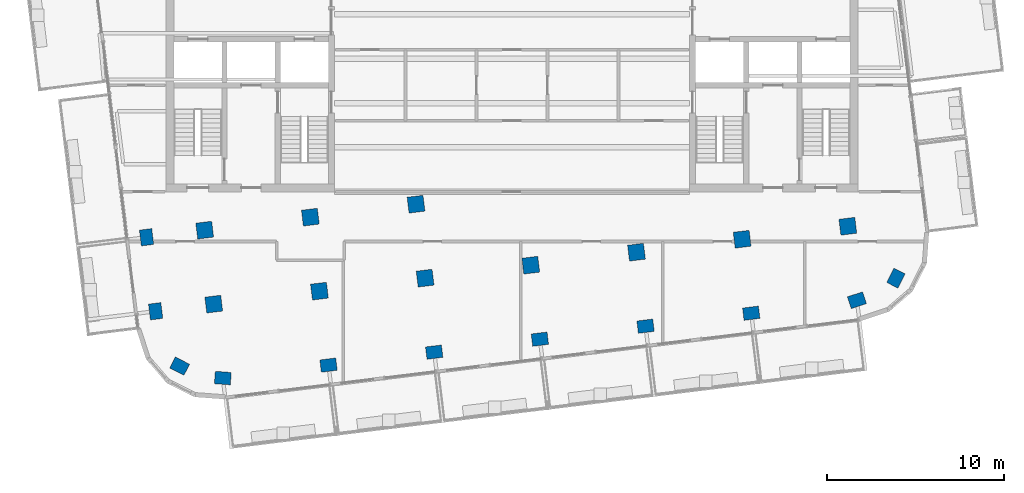
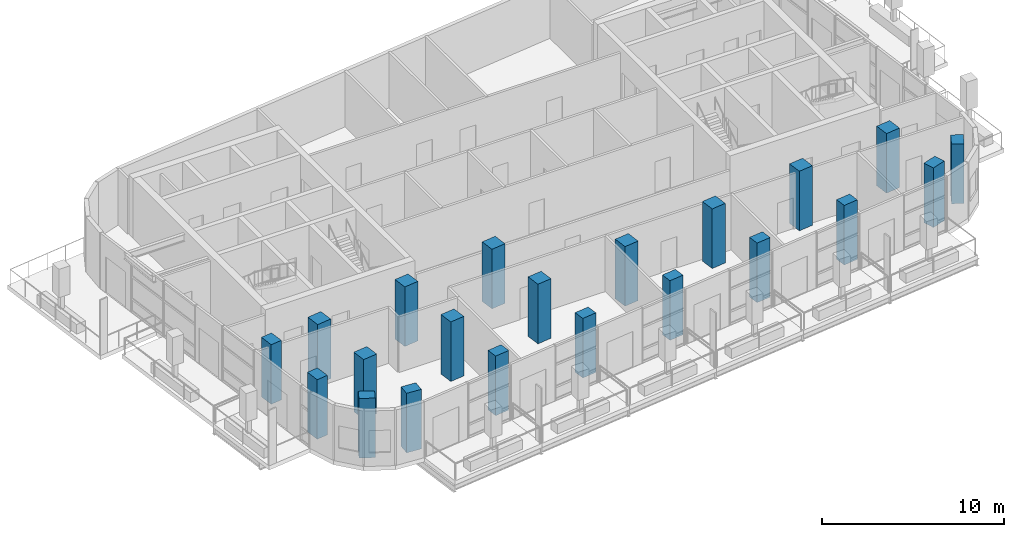
# One storey, part 1 of 14: 21 columns.
"""IFC4 building model written with IfcOpenShell, lengths in metres."""

from ifc_helpers import new_model, si_unit, direction, frame, origin, origin_2d, place, context, subcontext, project, spatial, rectangle, extrude, material, material_profile, profile_set, type_object, element, save


model = new_model("IFC4")

# Units and contexts
model_context = context("Model", 3, precision=1e-05, world=origin(), true_north=direction((0.0, 1.0)))
body_context = subcontext(model_context, "Body", "Model", "MODEL_VIEW")
ifc_project = project(units=[si_unit("LENGTHUNIT", "METRE"), si_unit("AREAUNIT", "SQUARE_METRE"), si_unit("VOLUMEUNIT", "CUBIC_METRE"), si_unit("PLANEANGLEUNIT", "RADIAN"), si_unit("MASSUNIT", "GRAM", prefix="KILO")], contexts=[model_context])

# Site, building, storey
site_placement = place(None, origin())
site = spatial("IfcSite", under=ifc_project, at=site_placement, CompositionType="ELEMENT")
building_placement = place(site_placement, origin())
building = spatial("IfcBuilding", under=site, at=building_placement, Name="Torana Hotel and Residences", CompositionType="ELEMENT")
storey_placement = place(building_placement, frame((0.0, 0.0, 338.60009765625)))
storey = spatial("IfcBuildingStorey", under=building, at=storey_placement, Name="L89", CompositionType="ELEMENT", Elevation=338.60009765625)

# Columns
ifc_material_1 = material(Name="Concrete C45/55", Category="concrete")
ifc_material_profile_1 = material_profile(ifc_material_1, rectangle(XDim=0.89990234375, YDim=0.699951171875, at=origin_2d()), Name="RC 900x700")
ifc_profile_set_1 = profile_set([ifc_material_profile_1], Name="Concrete C45/55")
column_type_1 = type_object("IfcColumnType", Name="COLUMN RC 900x700 C45/55", PredefinedType="COLUMN", material=ifc_profile_set_1)
for number, where, z_axis, x_axis, name in (
    (1, (-20.593017578125, -17.56201171875, 0.0), (0.0, 0.0, 1.0), (-0.121869343405, 0.992546151641, 0.0), "Column L89"),
    (2, (-20.0810546875, -21.73095703125, 0.0), (0.0, 0.0, 1.0), (-0.121869343405, 0.992546151641, 0.0), "Column L89"),
    (3, (-18.72802734375, -24.822998046875, 0.0), (0.0, 0.0, 1.0), (-0.892978943411, 0.450098441037, 0.0), "Column L89"),
    (4, (-16.2939453125, -25.4970703125, 0.0), (0.0, 0.0, 1.0), (-0.997251478385, 0.074091084885, 0.0), "Column L89"),
    (5, (-10.337890625, -24.76611328125, 0.0), (0.0, 0.0, 1.0), (0.992546151641, 0.121869343405, 0.0), "Column L89"),
    (6, (-4.383056640625, -24.034912109375, 0.0), (0.0, 0.0, 1.0), (0.992546151641, 0.121869343405, 0.0), "Column L89"),
    (7, (1.572021484375, -23.303955078125, 0.0), (0.0, 0.0, 1.0), (0.992546151641, 0.121869343405, 0.0), "Column L89"),
    (8, (7.527099609375, -22.572998046875, 0.0), (0.0, 0.0, 1.0), (0.992546151641, 0.121869343405, 0.0), "Column L89"),
    (9, (13.48291015625, -21.841064453125, 0.0), (0.0, 0.0, 1.0), (0.992546151641, 0.121869343405, 0.0), "Column L89"),
    (10, (19.43798828125, -21.110107421875, 0.0), (0.0, 0.0, 1.0), (0.949693660318, 0.313180381813, 0.0), "Column L89"),
    (11, (21.635986328125, -19.865966796875, 0.0), (0.0, 0.0, 1.0), (0.450098441037, 0.892978943411, 0.0), "Column L89"),
):
    element("IfcColumn", number, at=place(storey_placement, frame(where, z_axis=z_axis, x_axis=x_axis)), inside=storey, type_object=column_type_1, Name=name, PredefinedType="COLUMN", context=body_context, shape_type="SweptSolid", body=[
        extrude(rectangle(XDim=0.89990234375, YDim=0.699951171875, at=origin_2d()), origin(), (0.0, 0.0, 1.0), 4.0),
    ])
ifc_material_2 = material(Name="Concrete C45/55", Category="concrete")
ifc_material_profile_2 = material_profile(ifc_material_2, rectangle(XDim=0.89990234375, YDim=0.89990234375, at=origin_2d()), Name="RC 900x900")
ifc_profile_set_2 = profile_set([ifc_material_profile_2], Name="Concrete C45/55")
column_type_2 = type_object("IfcColumnType", Name="COLUMN RC 900x900 C45/55", PredefinedType="COLUMN", material=ifc_profile_set_2)
for number, where, z_axis, x_axis, name in (
    (12, (-17.31689453125, -17.159912109375, 0.0), (0.0, 0.0, 1.0), (0.992546151641, 0.121869343405, 0.0), "Column L89"),
    (13, (-16.805908203125, -21.3291015625, 0.0), (0.0, 0.0, 1.0), (0.992546151641, 0.121869343405, 0.0), "Column L89"),
    (14, (-11.362060546875, -16.428955078125, 0.0), (0.0, 0.0, 1.0), (0.992546151641, 0.121869343405, 0.0), "Column L89"),
    (15, (-10.85009765625, -20.597900390625, 0.0), (0.0, 0.0, 1.0), (0.992546151641, 0.121869343405, 0.0), "Column L89"),
    (16, (-5.406982421875, -15.697998046875, 0.0), (0.0, 0.0, 1.0), (0.992546151641, 0.121869343405, 0.0), "Column L89"),
    (17, (-4.89501953125, -19.865966796875, 0.0), (0.0, 0.0, 1.0), (0.992546151641, 0.121869343405, 0.0), "Column L89"),
    (18, (1.06005859375, -19.135009765625, 0.0), (0.0, 0.0, 1.0), (0.992546151641, 0.121869343405, 0.0), "Column L89"),
    (19, (7.01611328125, -18.404052734375, 0.0), (0.0, 0.0, 1.0), (0.992546151641, 0.121869343405, 0.0), "Column L89"),
    (20, (12.970947265625, -17.673095703125, 0.0), (0.0, 0.0, 1.0), (0.992546151641, 0.121869343405, 0.0), "Column L89"),
    (21, (18.926025390625, -16.94189453125, 0.0), (0.0, 0.0, 1.0), (0.992546151641, 0.121869343405, 0.0), "Column L89"),
):
    element("IfcColumn", number, at=place(storey_placement, frame(where, z_axis=z_axis, x_axis=x_axis)), inside=storey, type_object=column_type_2, Name=name, PredefinedType="COLUMN", context=body_context, shape_type="SweptSolid", body=[
        extrude(rectangle(XDim=0.89990234375, YDim=0.89990234375, at=origin_2d()), origin(), (0.0, 0.0, 1.0), 4.0),
    ])

save(model, "model.ifc")
